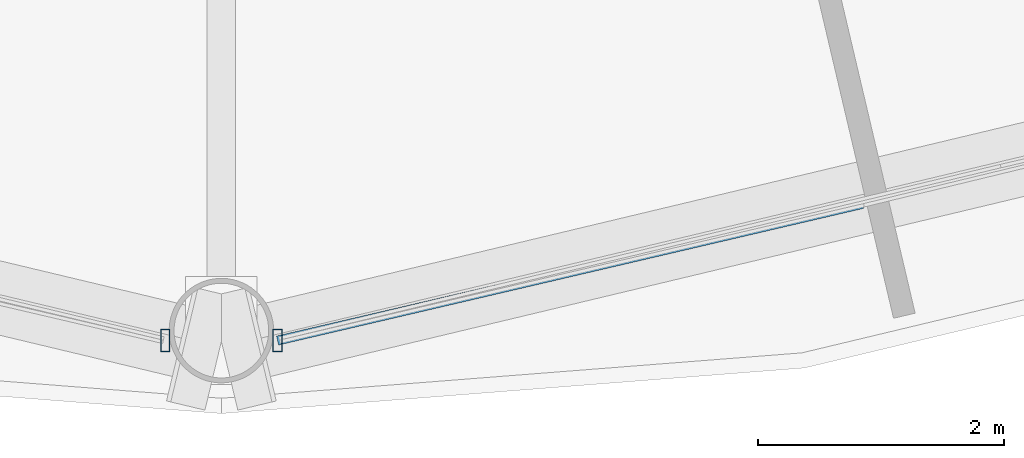
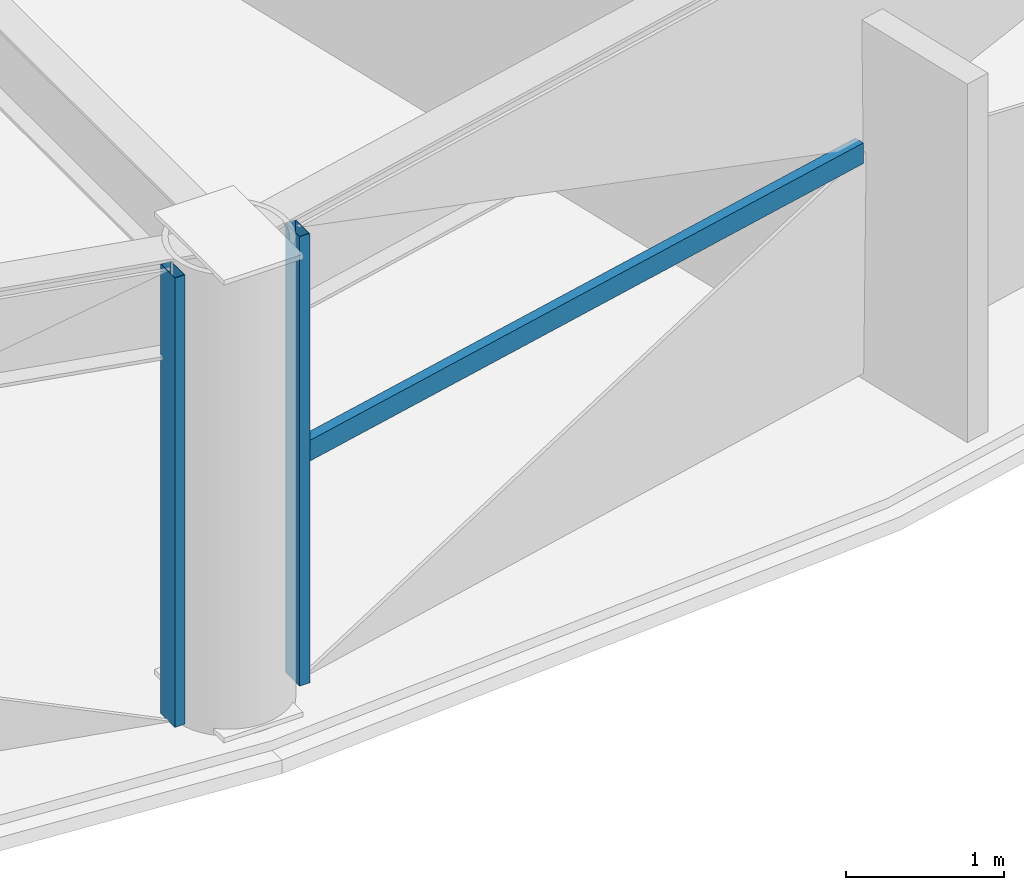
# One storey, part 4 of 31: 3 members, 2 elements without a shape of their own.
"""IFC4 building model written with IfcOpenShell, lengths in metres."""

from ifc_helpers import new_model, si_unit, direction, frame, origin, origin_2d, place, context, subcontext, project, spatial, hollow_rectangle, extrude, material, layer, layer_set, material_profile, profile_set, type_object, element, aggregate, save


model = new_model("IFC4")

# Units and contexts
model_context = context("Model", 3, precision=1e-05, world=origin(), true_north=direction((0.0, 1.0)))
body_context = subcontext(model_context, "Body", "Model", "MODEL_VIEW")
ifc_project = project(units=[si_unit("LENGTHUNIT", "METRE"), si_unit("AREAUNIT", "SQUARE_METRE"), si_unit("VOLUMEUNIT", "CUBIC_METRE"), si_unit("PLANEANGLEUNIT", "RADIAN"), si_unit("MASSUNIT", "GRAM", prefix="KILO")], contexts=[model_context])

# Site, building, storey
site_placement = place(None, origin())
site = spatial("IfcSite", under=ifc_project, at=site_placement, CompositionType="ELEMENT")
building_placement = place(site_placement, origin())
building = spatial("IfcBuilding", under=site, at=building_placement, Name="Vantalir Tower", CompositionType="ELEMENT")
storey_placement = place(building_placement, frame((0.0, 0.0, 42.0)))
storey = spatial("IfcBuildingStorey", under=building, at=storey_placement, Name="L09", CompositionType="ELEMENT", Elevation=42.0)

# Curtain wall, member
ifc_material_1 = material(Name="Champagne-silver PVDF aluminium and double-silver Low-E glass", Category="aluminium")
ifc_layer = layer(ifc_material_1, 0.18994140625)
ifc_layer_set = layer_set([ifc_layer], Name="Champagne-silver PVDF aluminium and double-silver Low-E glass")
curtain_wall_type = type_object("IfcCurtainWallType", Name="CW-DIAMOND-Z1", PredefinedType="USERDEFINED", material=ifc_layer_set)
curtain_wall_1_placement = place(storey_placement, origin())
curtain_wall_1 = element("IfcCurtainWall", 1, at=curtain_wall_1_placement, inside=storey, type_object=curtain_wall_type, Name="L09 Quilted Pyramid-Diamond Curtain Wall S09", ObjectType="UNITISED CURTAIN WALL", PredefinedType="USERDEFINED")
ifc_material_2 = material(Name="Champagne-silver PVDF aluminium 6063-T6", Category="aluminium")
ifc_material_profile_1 = material_profile(ifc_material_2, hollow_rectangle(XDim=0.074951171875, YDim=0.179931640625, WallThickness=0.00390625, at=origin_2d()), Name="Champagne-silver PVDF aluminium 6063-T6")
ifc_profile_set_1 = profile_set([ifc_material_profile_1], Name="Champagne-silver PVDF aluminium 6063-T6")
member_type_1 = type_object("IfcMemberType", Name="CWM-180x75", PredefinedType="MULLION", material=ifc_profile_set_1)
member_1_placement = place(storey_placement, frame((31.04296875, 1.193115234375, 0.044921875), z_axis=(0.0, 0.0, 1.0), x_axis=(1.0, 0.0, 0.0)))
member_1 = element("IfcMember", 2, at=member_1_placement, type_object=member_type_1, Name="CW-L09-S09 Mullion 2", PredefinedType="MULLION", context=body_context, shape_type="SweptSolid", body=[
    extrude(hollow_rectangle(XDim=0.074951171875, YDim=0.179931640625, WallThickness=0.00390625, at=origin_2d()), origin(), (0.0, 0.0, 1.0), 3.47998046875),
])
aggregate(curtain_wall_1, [member_1])

# Curtain wall, members
curtain_wall_2_placement = place(storey_placement, origin())
curtain_wall_2 = element("IfcCurtainWall", 3, at=curtain_wall_2_placement, inside=storey, type_object=curtain_wall_type, Name="L09 Quilted Pyramid-Diamond Curtain Wall S10", ObjectType="UNITISED CURTAIN WALL", PredefinedType="USERDEFINED")
member_2_placement = place(storey_placement, frame((31.95703125, 1.193115234375, 0.044921875), z_axis=(0.0, 0.0, 1.0), x_axis=(1.0, 0.0, 0.0)))
member_2 = element("IfcMember", 4, at=member_2_placement, type_object=member_type_1, Name="CW-L09-S10 Mullion 1", PredefinedType="MULLION", context=body_context, shape_type="SweptSolid", body=[
    extrude(hollow_rectangle(XDim=0.074951171875, YDim=0.179931640625, WallThickness=0.00390625, at=origin_2d()), origin(), (0.0, 0.0, 1.0), 3.47998046875),
])
ifc_material_profile_2 = material_profile(ifc_material_2, hollow_rectangle(XDim=0.074951171875, YDim=0.159912109375, WallThickness=0.00390625, at=origin_2d()), Name="Champagne-silver PVDF aluminium 6063-T6")
ifc_profile_set_2 = profile_set([ifc_material_profile_2], Name="Champagne-silver PVDF aluminium 6063-T6")
member_type_2 = type_object("IfcMemberType", Name="CWT-160x75", PredefinedType="USERDEFINED", material=ifc_profile_set_2)
member_3_placement = place(storey_placement, frame((31.95703125, 1.193115234375, 1.784912109375), z_axis=(0.973789562469, 0.227450847497, 0.0), x_axis=(-0.227450847497, 0.973789562469, 0.0)))
member_3 = element("IfcMember", 5, at=member_3_placement, type_object=member_type_2, Name="CW-L09-S10 Pyramid Fold Ridge Transom", ObjectType="TRANSOM", PredefinedType="USERDEFINED", context=body_context, shape_type="SweptSolid", body=[
    extrude(hollow_rectangle(XDim=0.074951171875, YDim=0.159912109375, WallThickness=0.00390625, at=origin_2d()), origin(), (0.0, 0.0, 1.0), 4.8837890625),
])
aggregate(curtain_wall_2, [member_2, member_3])

save(model, "model.ifc")
